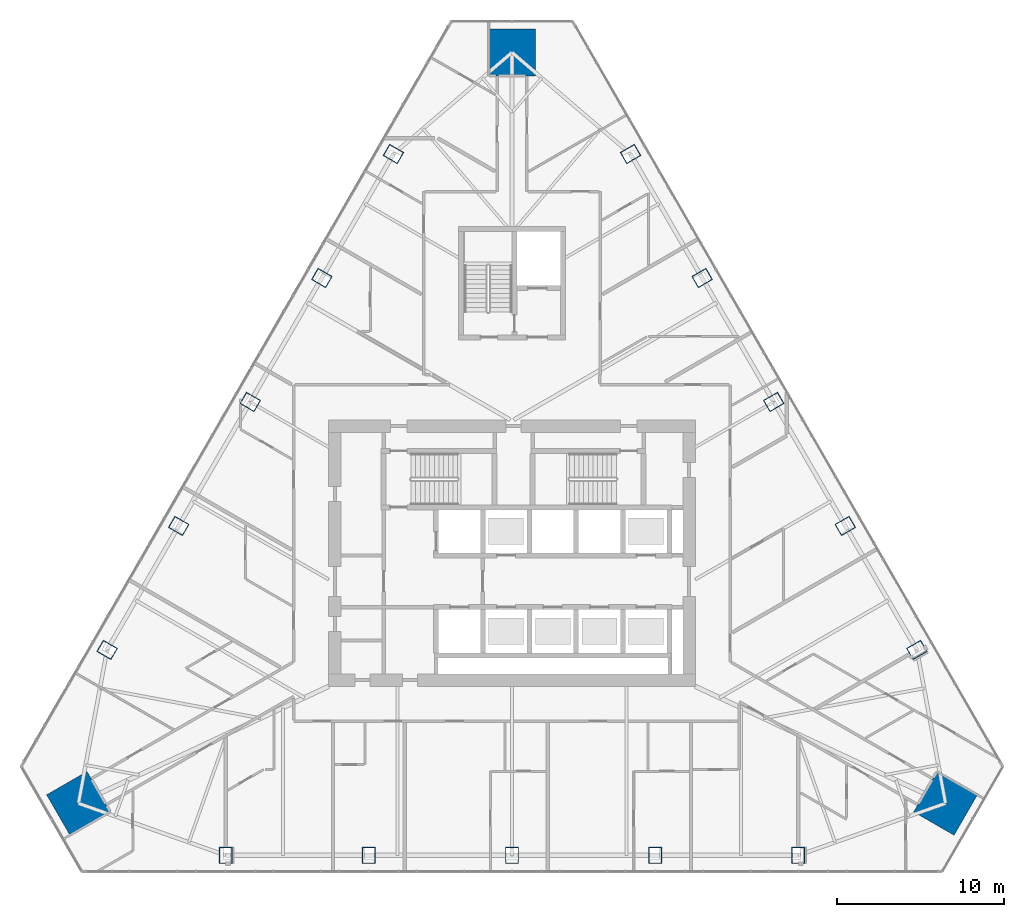
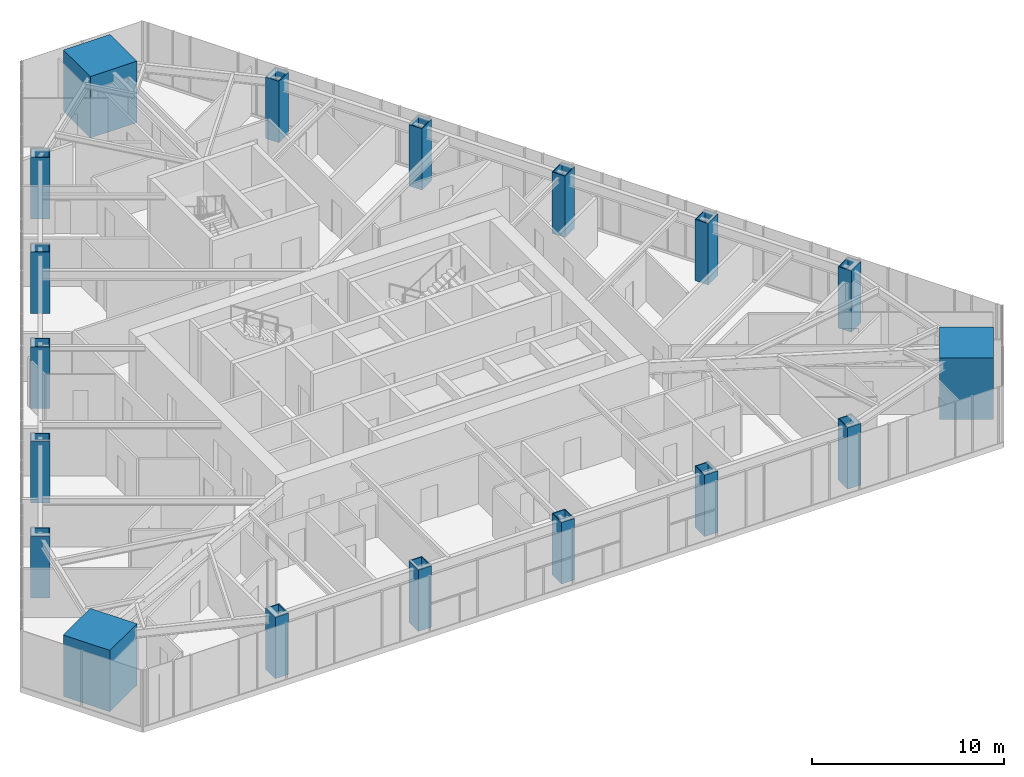
# One storey, part 1 of 24: 18 columns.
"""IFC4 building model written with IfcOpenShell, lengths in metres."""

import ifcopenshell
import ifcopenshell.guid

model = None  # the IFC model being written
_history = None  # IfcOwnerHistory: only IFC2X3 demands one
_inside = {}  # id of a spatial element -> (the spatial element, [elements in it])
_under = {}  # id of a project, library or spatial element -> (it, [spatial elements below it])
_declared = {}  # id of a project -> (the project, [libraries it declares])
_typed = {}  # id of a type object -> (the type object, [elements of that type])
_made_of = {}  # id of a material, layer set ... -> (it, [elements and type objects made of it])


def new_model(schema):
    """Start an empty IFC model of exactly this schema.

    Asked for "IFC4X3", IfcOpenShell would pick the latest addendum, in which some entities
    have other attributes; the version numbers below select the first issue.
    IFC2X3 requires an IfcOwnerHistory on every rooted entity: one is made here for all.
    """
    global model, _history
    if schema == "IFC4X3":
        model = ifcopenshell.file(schema_version=(4, 3, 0, 0))
    else:
        model = ifcopenshell.file(schema=schema)
    _inside.clear()
    _under.clear()
    _declared.clear()
    _typed.clear()
    _made_of.clear()
    _history = None
    if model.schema == "IFC2X3":
        org = make("IfcOrganization", Name="unknown")
        user = make(
            "IfcPersonAndOrganization",
            ThePerson=make("IfcPerson", FamilyName="unknown"),
            TheOrganization=org,
        )
        app = make(
            "IfcApplication",
            ApplicationDeveloper=org,
            Version="unknown",
            ApplicationFullName="unknown",
            ApplicationIdentifier="unknown",
        )
        _history = make(
            "IfcOwnerHistory",
            OwningUser=user,
            OwningApplication=app,
            ChangeAction="ADDED",
            CreationDate=0,
        )
    return model


def make(cls, **values):
    """One entity of the class cls with the attributes given. An attribute that is None is left unset."""
    return model.create_entity(
        cls, **{name: value for name, value in values.items() if value is not None}
    )


def rooted(cls, **values):
    """An entity with a GlobalId (a new one), such as an element, a storey or a relation."""
    return make(cls, GlobalId=ifcopenshell.guid.new(), OwnerHistory=_history, **values)


def si_unit(unit_type, name, prefix=None):
    """IfcSIUnit, for example si_unit("LENGTHUNIT", "METRE", prefix="MILLI")."""
    return make("IfcSIUnit", UnitType=unit_type, Prefix=prefix, Name=name)


def assignment(units):
    """IfcUnitAssignment: the units of a project."""
    return None if units is None else make("IfcUnitAssignment", Units=units)


def point(xyz):
    """IfcCartesianPoint."""
    return None if xyz is None else make("IfcCartesianPoint", Coordinates=xyz)


def direction(xyz):
    """IfcDirection."""
    return None if xyz is None else make("IfcDirection", DirectionRatios=xyz)


def frame(location, z_axis=None, x_axis=None):
    """IfcAxis2Placement3D, a coordinate frame: its origin and axes. An axis left out is left unset."""
    return make(
        "IfcAxis2Placement3D",
        Location=point(location),
        Axis=direction(z_axis),
        RefDirection=direction(x_axis),
    )


def frame_2d(location, x_axis=None):
    """IfcAxis2Placement2D, a coordinate frame in the plane: its origin and x axis."""
    return make(
        "IfcAxis2Placement2D", Location=point(location), RefDirection=direction(x_axis)
    )


def origin():
    """The frame at (0, 0, 0) with its axes left unset."""
    return frame((0.0, 0.0, 0.0))


def origin_2d():
    """The frame at (0, 0) in the plane with its x axis left unset."""
    return frame_2d((0.0, 0.0))


def place(relative_to, where):
    """IfcLocalPlacement: puts the frame where relative to a parent placement (None: the world)."""
    return make(
        "IfcLocalPlacement", PlacementRelTo=relative_to, RelativePlacement=where
    )


def context(
    kind, dimensions, precision=None, world=None, true_north=None, identifier=None
):
    """IfcGeometricRepresentationContext, for example the 3D "Model" context."""
    return make(
        "IfcGeometricRepresentationContext",
        ContextIdentifier=identifier,
        ContextType=kind,
        CoordinateSpaceDimension=dimensions,
        Precision=precision,
        WorldCoordinateSystem=world,
        TrueNorth=true_north,
    )


def subcontext(parent, identifier, kind, view, scale=None):
    """IfcGeometricRepresentationSubContext, for example "Body" below "Model"."""
    return make(
        "IfcGeometricRepresentationSubContext",
        ContextIdentifier=identifier,
        ContextType=kind,
        ParentContext=parent,
        TargetScale=scale,
        TargetView=view,
    )


def project(units=None, contexts=None):
    """IfcProject with its units and contexts."""
    return rooted(
        "IfcProject",
        Name="project",
        RepresentationContexts=contexts,
        UnitsInContext=assignment(units),
    )


def spatial(cls, under=None, at=None, **own):
    """A site, building, storey or space (cls), placed at a placement, below another one or the project."""
    s = rooted(cls, ObjectPlacement=at, **own)
    if under is not None:
        _under.setdefault(under.id(), (under, []))[1].append(s)
    return s


def profile(cls, at=None, kind="AREA", **sizes):
    """A parametric profile (cls). Its sizes go by their IFC names, for example OverallWidth=200.0."""
    return make(cls, ProfileType=kind, Position=at, **sizes)


def rectangle(**sizes):
    """IfcRectangleProfileDef."""
    return profile("IfcRectangleProfileDef", **sizes)


def hollow_rectangle(**sizes):
    """IfcRectangleHollowProfileDef."""
    return profile("IfcRectangleHollowProfileDef", **sizes)


def extrude(swept, where, along, depth):
    """IfcExtrudedAreaSolid: the profile swept, set in the frame where, extruded along a direction by depth."""
    return make(
        "IfcExtrudedAreaSolid",
        SweptArea=swept,
        Position=where,
        ExtrudedDirection=direction(along),
        Depth=depth,
    )


def shape(context_of_items, identifier, shape_type, items):
    """IfcShapeRepresentation: the items that make up one representation, for example the "Body"."""
    return make(
        "IfcShapeRepresentation",
        ContextOfItems=context_of_items,
        RepresentationIdentifier=identifier,
        RepresentationType=shape_type,
        Items=items,
    )


def material(Name=None, Category=None):
    """IfcMaterial."""
    return make("IfcMaterial", Name=Name, Category=Category)


def material_profile(
    of_material, cross_section, Name=None, Category=None, Priority=None
):
    """IfcMaterialProfile: a cross section and its material."""
    return make(
        "IfcMaterialProfile",
        Name=Name,
        Material=of_material,
        Profile=cross_section,
        Priority=Priority,
        Category=Category,
    )


def profile_set(profiles, Name=None, composite=None):
    """IfcMaterialProfileSet."""
    return make(
        "IfcMaterialProfileSet",
        Name=Name,
        MaterialProfiles=profiles,
        CompositeProfile=composite,
    )


def made_of(thing, what):
    """Note that an element or type object is made of a material, layer set ...; save() writes the relation."""
    if what is not None:
        _made_of.setdefault(what.id(), (what, []))[1].append(thing)
    return thing


def type_object(cls, material=None, **own):
    """A type object (cls), such as IfcWallType, which elements share."""
    return made_of(rooted(cls, **own), material)


def element(
    cls,
    number,
    at=None,
    inside=None,
    cuts=None,
    type_object=None,
    material=None,
    context=None,
    identifier="Body",
    shape_type=None,
    held_by="IfcProductDefinitionShape",
    body=None,
    shapes=None,
    **own,
):
    """One element of the class cls, such as IfcWall. Its Tag is "e" and its number.

    at: its placement. inside: the storey or other place that contains it. cuts: it is an
    opening in that element (IfcRelVoidsElement). A single representation is given by context,
    identifier, shape_type and body (its items); several are given by shapes. held_by: the class
    of the entity that holds the representations. save() writes the other relations.
    """
    e = rooted(cls, Tag="e%d" % number, ObjectPlacement=at, **own)
    if body is not None:
        shapes = [shape(context, identifier, shape_type, body)]
    if shapes is not None:
        e.Representation = make(held_by, Representations=shapes)
    if inside is not None:
        _inside.setdefault(inside.id(), (inside, []))[1].append(e)
    if cuts is not None:
        rooted(
            "IfcRelVoidsElement", RelatingBuildingElement=cuts, RelatedOpeningElement=e
        )
    if type_object is not None:
        _typed.setdefault(type_object.id(), (type_object, []))[1].append(e)
    return made_of(e, material)


def aggregate(whole, parts):
    """IfcRelAggregates: a whole, such as a stair, and the parts it consists of."""
    return rooted("IfcRelAggregates", RelatingObject=whole, RelatedObjects=parts)


def save(model, path):
    """Write the relations noted so far, then the file.

    IfcRelAggregates (storeys below a building ...), IfcRelContainedInSpatialStructure (elements
    in a storey), IfcRelDefinesByType, IfcRelAssociatesMaterial and IfcRelDeclares: one each for
    every whole, place, type object, material and project.
    """
    for whole, parts in _under.values():
        aggregate(whole, parts)
    for where, things in _inside.values():
        rooted(
            "IfcRelContainedInSpatialStructure",
            RelatedElements=things,
            RelatingStructure=where,
        )
    for kind, things in _typed.values():
        rooted("IfcRelDefinesByType", RelatedObjects=things, RelatingType=kind)
    for what, things in _made_of.values():
        rooted("IfcRelAssociatesMaterial", RelatedObjects=things, RelatingMaterial=what)
    for by, libraries in _declared.values():
        rooted("IfcRelDeclares", RelatingContext=by, RelatedDefinitions=libraries)
    model.write(path)


model = new_model("IFC4")

# Units and contexts
model_context = context("Model", 3, precision=1e-05, world=origin(), true_north=direction((0.0, 1.0)))
body_context = subcontext(model_context, "Body", "Model", "MODEL_VIEW")
ifc_project = project(units=[si_unit("LENGTHUNIT", "METRE"), si_unit("AREAUNIT", "SQUARE_METRE"), si_unit("VOLUMEUNIT", "CUBIC_METRE"), si_unit("PLANEANGLEUNIT", "RADIAN"), si_unit("MASSUNIT", "GRAM", prefix="KILO")], contexts=[model_context])

# Site, building, storey
site_placement = place(None, origin())
site = spatial("IfcSite", under=ifc_project, at=site_placement, CompositionType="ELEMENT")
building_placement = place(site_placement, origin())
building = spatial("IfcBuilding", under=site, at=building_placement, Name="Firuza Gate Tower and Library", CompositionType="ELEMENT")
storey_placement = place(building_placement, frame((0.0, 0.0, 206.5)))
storey = spatial("IfcBuildingStorey", under=building, at=storey_placement, Name="L48", CompositionType="ELEMENT", Elevation=206.5)

# Columns
ifc_material_1 = material(Name="Steel S355", Category="steel")
ifc_material_profile_1 = material_profile(ifc_material_1, hollow_rectangle(XDim=0.800048828125, YDim=1.0, WallThickness=0.050048828125, at=origin_2d()))
ifc_profile_set_1 = profile_set([ifc_material_profile_1], Name="Steel S355")
column_type_1 = type_object("IfcColumnType", Name="BU1000x800x50 Composite box column", PredefinedType="COLUMN", material=ifc_profile_set_1)
for number, where, z_axis, x_axis, name in (
    (1, (57.8125, 56.8583984375, -0.00048828125), (0.0, 0.0, 1.0), (1.0, 0.0, 0.0), "Column S1 L48"),
    (2, (66.40625, 56.8583984375, -0.00048828125), (0.0, 0.0, 1.0), (1.0, 0.0, 0.0), "Column S2 L48"),
    (3, (75.0, 56.8583984375, -0.00048828125), (0.0, 0.0, 1.0), (1.0, 0.0, 0.0), "Column S3 L48"),
    (4, (83.59375, 56.8583984375, -0.00048828125), (0.0, 0.0, 1.0), (1.0, 0.0, 0.0), "Column S4 L48"),
    (5, (92.1875, 56.8583984375, -0.00048828125), (0.0, 0.0, 1.0), (1.0, 0.0, 0.0), "Column S5 L48"),
    (6, (99.304931640625, 69.18603515625, -0.00048828125), (0.0, 0.0, 1.0), (-0.5, 0.866025403784, 0.0), "Column E1 L48"),
    (7, (95.008056640625, 76.62841796875, -0.00048828125), (0.0, 0.0, 1.0), (-0.5, 0.866025403784, 0.0), "Column E2 L48"),
    (8, (90.711181640625, 84.07080078125, -0.00048828125), (0.0, 0.0, 1.0), (-0.5, 0.866025403784, 0.0), "Column E3 L48"),
    (9, (86.414306640625, 91.51318359375, -0.00048828125), (0.0, 0.0, 1.0), (-0.5, 0.866025403784, 0.0), "Column E4 L48"),
    (10, (82.117431640625, 98.95556640625, -0.00048828125), (0.0, 0.0, 1.0), (-0.5, 0.866025403784, 0.0), "Column E5 L48"),
    (11, (67.882568359375, 98.95556640625, -0.00048828125), (0.0, 0.0, 1.0), (-0.5, -0.866025403784, 0.0), "Column W1 L48"),
    (12, (63.585693359375, 91.51318359375, -0.00048828125), (0.0, 0.0, 1.0), (-0.5, -0.866025403784, 0.0), "Column W2 L48"),
    (13, (59.288818359375, 84.07080078125, -0.00048828125), (0.0, 0.0, 1.0), (-0.5, -0.866025403784, 0.0), "Column W3 L48"),
    (14, (54.991943359375, 76.62841796875, -0.00048828125), (0.0, 0.0, 1.0), (-0.5, -0.866025403784, 0.0), "Column W4 L48"),
    (15, (50.695068359375, 69.18603515625, -0.00048828125), (0.0, 0.0, 1.0), (-0.5, -0.866025403784, 0.0), "Column W5 L48"),
):
    element("IfcColumn", number, at=place(storey_placement, frame(where, z_axis=z_axis, x_axis=x_axis)), inside=storey, type_object=column_type_1, Name=name, PredefinedType="COLUMN", context=body_context, shape_type="SweptSolid", body=[
        extrude(hollow_rectangle(XDim=0.800048828125, YDim=1.0, WallThickness=0.050048828125, at=origin_2d()), origin(), (0.0, 0.0, 1.0), 3.900390625),
    ])
ifc_material_2 = material(Name="Concrete C80/95", Category="concrete")
ifc_material_profile_2 = material_profile(ifc_material_2, rectangle(XDim=2.800048828125, YDim=2.800048828125, at=origin_2d()))
ifc_profile_set_2 = profile_set([ifc_material_profile_2], Name="Concrete C80/95")
column_type_2 = type_object("IfcColumnType", Name="Mega column 2800x2800 C80/95", PredefinedType="COLUMN", material=ifc_profile_set_2)
for number, where, z_axis, x_axis, name in (
    (16, (101.0224609375, 59.97607421875, 0.0), (0.0, 0.0, 1.0), (0.5, 0.866025403784, 0.0), "Mega column SE L48"),
    (17, (75.0, 105.048095703125, 0.0), (0.0, 0.0, 1.0), (-1.0, 0.0, 0.0), "Mega column N L48"),
    (18, (48.9775390625, 59.97607421875, 0.0), (0.0, 0.0, 1.0), (0.5, -0.866025403784, 0.0), "Mega column SW L48"),
):
    element("IfcColumn", number, at=place(storey_placement, frame(where, z_axis=z_axis, x_axis=x_axis)), inside=storey, type_object=column_type_2, Name=name, PredefinedType="COLUMN", context=body_context, shape_type="SweptSolid", body=[
        extrude(rectangle(XDim=2.800048828125, YDim=2.800048828125, at=origin_2d()), origin(), (0.0, 0.0, 1.0), 3.89990234375),
    ])

save(model, "model.ifc")
